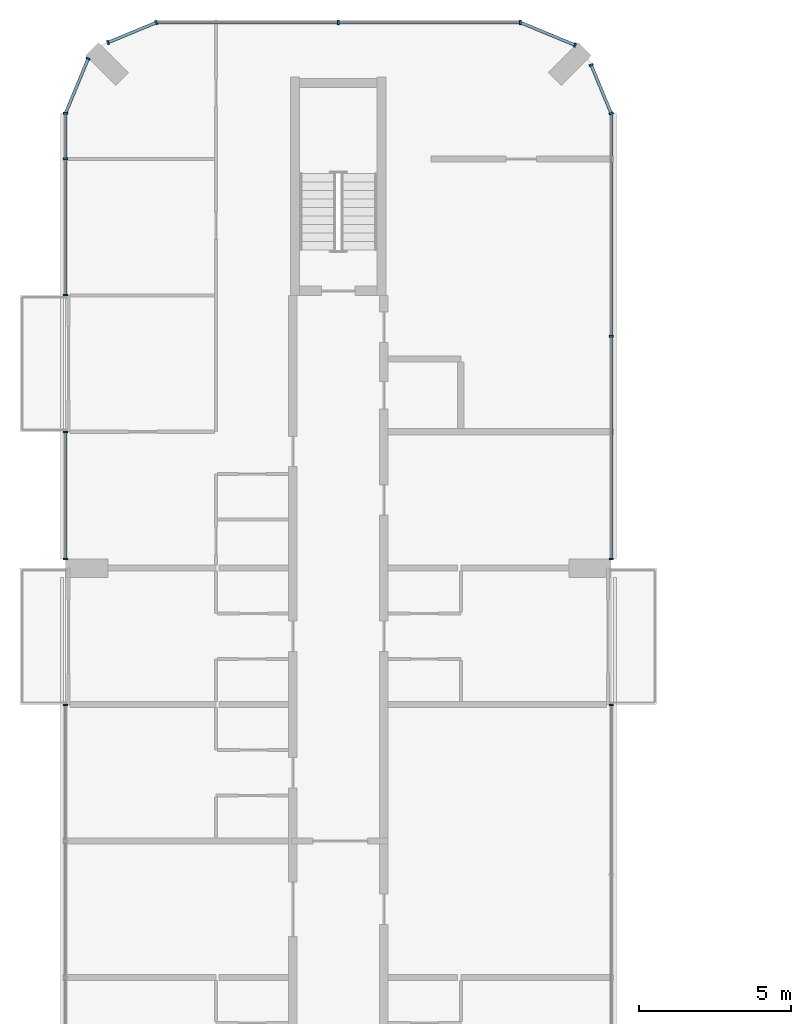
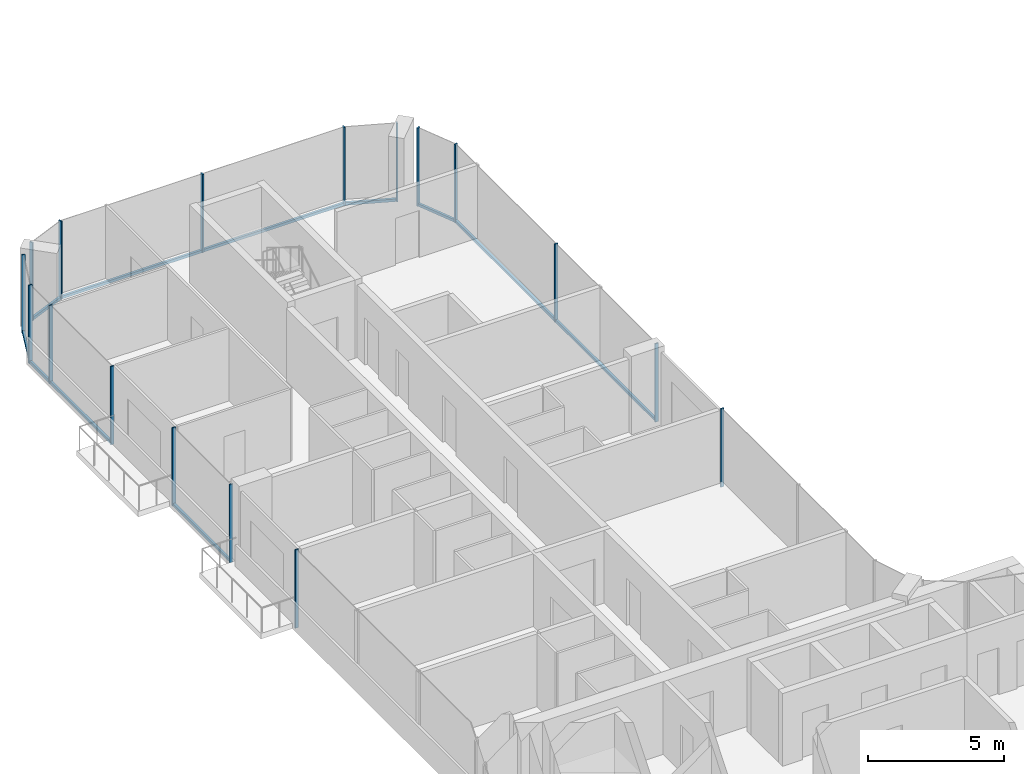
# One storey, part 7 of 17: 25 members, 10 elements without a shape of their own.
"""IFC4 building model written with IfcOpenShell, lengths in metres."""

from ifc_helpers import new_model, si_unit, direction, frame, origin, origin_2d, place, context, subcontext, project, spatial, rectangle, extrude, material, layer, layer_set, material_profile, profile_set, type_object, element, aggregate, save


model = new_model("IFC4")

# Units and contexts
model_context = context("Model", 3, precision=1e-05, world=origin(), true_north=direction((0.0, 1.0)))
body_context = subcontext(model_context, "Body", "Model", "MODEL_VIEW")
ifc_project = project(units=[si_unit("LENGTHUNIT", "METRE"), si_unit("AREAUNIT", "SQUARE_METRE"), si_unit("VOLUMEUNIT", "CUBIC_METRE"), si_unit("PLANEANGLEUNIT", "RADIAN"), si_unit("MASSUNIT", "GRAM", prefix="KILO")], contexts=[model_context])

# Site, building, storey
site_placement = place(None, origin())
site = spatial("IfcSite", under=ifc_project, at=site_placement, CompositionType="ELEMENT")
building_placement = place(site_placement, origin())
building = spatial("IfcBuilding", under=site, at=building_placement, Name="Plateau Cross Towers", CompositionType="ELEMENT")
storey_placement = place(building_placement, frame((0.0, 0.0, 190.89990234375)))
storey = spatial("IfcBuildingStorey", under=building, at=storey_placement, Name="L49", CompositionType="ELEMENT", Elevation=190.89990234375)

# Curtain wall, member
ifc_material_1 = material(Name="Dark low-iron glass", Category="glass")
ifc_layer = layer(ifc_material_1, 0.239990234375)
ifc_layer_set = layer_set([ifc_layer], Name="Dark low-iron glass")
curtain_wall_type = type_object("IfcCurtainWallType", Name="Curtain wall flush unitised CW-B", PredefinedType="NOTDEFINED", material=ifc_layer_set)
curtain_wall_1_placement = place(storey_placement, origin())
curtain_wall_1 = element("IfcCurtainWall", 1, at=curtain_wall_1_placement, inside=storey, type_object=curtain_wall_type, Name="ENV/A/L49/A180_203", PredefinedType="NOTDEFINED")
ifc_material_2 = material(Name="Black anodised aluminium", Category="aluminium")
ifc_material_profile_1 = material_profile(ifc_material_2, rectangle(XDim=0.06005859375, YDim=0.139892578125, at=origin_2d()), Name="MULLION 60x140")
ifc_profile_set_1 = profile_set([ifc_material_profile_1], Name="Black anodised aluminium")
member_type_1 = type_object("IfcMemberType", Name="Mullion 60x140 flush unitised", PredefinedType="MULLION", material=ifc_profile_set_1)
member_1_placement = place(storey_placement, frame((18.0, 31.489990234375, -0.25), z_axis=(0.0, 0.0, 1.0), x_axis=(0.0, 1.0, 0.0)))
member_1 = element("IfcMember", 2, at=member_1_placement, type_object=member_type_1, Name="CW-B mullion 3", PredefinedType="MULLION", context=body_context, shape_type="SweptSolid", body=[
    extrude(rectangle(XDim=0.06005859375, YDim=0.139892578125, at=origin_2d()), origin(), (0.0, 0.0, 1.0), 3.5),
])
aggregate(curtain_wall_1, [member_1])

# Curtain wall, members
curtain_wall_2_placement = place(storey_placement, origin())
curtain_wall_2 = element("IfcCurtainWall", 3, at=curtain_wall_2_placement, inside=storey, type_object=curtain_wall_type, Name="ENV/A/L49/A180_363", PredefinedType="NOTDEFINED")
member_2_placement = place(storey_placement, frame((18.0, 36.300048828125, -0.25), z_axis=(0.0, 0.0, 1.0), x_axis=(0.0, 1.0, 0.0)))
member_2 = element("IfcMember", 4, at=member_2_placement, type_object=member_type_1, Name="CW-B mullion 1", PredefinedType="MULLION", context=body_context, shape_type="SweptSolid", body=[
    extrude(rectangle(XDim=0.06005859375, YDim=0.139892578125, at=origin_2d()), origin(), (0.0, 0.0, 1.0), 3.5),
])
member_3_placement = place(storey_placement, frame((18.0, 43.64990234375, -0.25), z_axis=(0.0, 0.0, 1.0), x_axis=(0.0, 1.0, 0.0)))
member_3 = element("IfcMember", 5, at=member_3_placement, type_object=member_type_1, Name="CW-B mullion 2", PredefinedType="MULLION", context=body_context, shape_type="SweptSolid", body=[
    extrude(rectangle(XDim=0.06005859375, YDim=0.139892578125, at=origin_2d()), origin(), (0.0, 0.0, 1.0), 3.5),
])

curtain_wall_3_placement = place(storey_placement, origin())
curtain_wall_3 = element("IfcCurtainWall", 6, at=curtain_wall_3_placement, inside=storey, type_object=curtain_wall_type, Name="ENV/A/L49/A180_510", PredefinedType="NOTDEFINED")
member_4_placement = place(storey_placement, frame((18.0, 51.0, -0.25), z_axis=(0.0, 0.0, 1.0), x_axis=(-0.382683612978, 0.923879457699, 0.0)))
member_4 = element("IfcMember", 7, at=member_4_placement, type_object=member_type_1, Name="CW-B mullion 1", PredefinedType="MULLION", context=body_context, shape_type="SweptSolid", body=[
    extrude(rectangle(XDim=0.06005859375, YDim=0.139892578125, at=origin_2d()), origin(), (0.0, 0.0, 1.0), 3.5),
])
member_5_placement = place(storey_placement, frame((17.338623046875, 52.5966796875, -0.25), z_axis=(0.0, 0.0, 1.0), x_axis=(-0.382683612978, 0.923879457699, 0.0)))
member_5 = element("IfcMember", 8, at=member_5_placement, type_object=member_type_1, Name="CW-B mullion 2", PredefinedType="MULLION", context=body_context, shape_type="SweptSolid", body=[
    extrude(rectangle(XDim=0.06005859375, YDim=0.139892578125, at=origin_2d()), origin(), (0.0, 0.0, 1.0), 3.5),
])

# Curtain wall, member
curtain_wall_4_placement = place(storey_placement, origin())
curtain_wall_4 = element("IfcCurtainWall", 9, at=curtain_wall_4_placement, inside=storey, type_object=curtain_wall_type, Name="ENV/A/L49/A168_533", PredefinedType="NOTDEFINED")
member_6_placement = place(storey_placement, frame((16.805908203125, 53.251953125, -0.25), z_axis=(0.0, 0.0, 1.0), x_axis=(-0.923879457699, 0.382683612978, 0.0)))
member_6 = element("IfcMember", 10, at=member_6_placement, type_object=member_type_1, Name="CW-B mullion 1", PredefinedType="MULLION", context=body_context, shape_type="SweptSolid", body=[
    extrude(rectangle(XDim=0.06005859375, YDim=0.139892578125, at=origin_2d()), origin(), (0.0, 0.0, 1.0), 3.5),
])

# Curtain wall, members
curtain_wall_5_placement = place(storey_placement, origin())
curtain_wall_5 = element("IfcCurtainWall", 11, at=curtain_wall_5_placement, inside=storey, type_object=curtain_wall_type, Name="ENV/A/L49/A150_540", PredefinedType="NOTDEFINED")
member_7_placement = place(storey_placement, frame((15.0, 54.0, -0.25), z_axis=(0.0, 0.0, 1.0), x_axis=(-1.0, 0.0, 0.0)))
member_7 = element("IfcMember", 12, at=member_7_placement, type_object=member_type_1, Name="CW-B mullion 1", PredefinedType="MULLION", context=body_context, shape_type="SweptSolid", body=[
    extrude(rectangle(XDim=0.06005859375, YDim=0.139892578125, at=origin_2d()), origin(), (0.0, 0.0, 1.0), 3.5),
])
member_8_placement = place(storey_placement, frame((9.0, 54.0, -0.25), z_axis=(0.0, 0.0, 1.0), x_axis=(-1.0, 0.0, 0.0)))
member_8 = element("IfcMember", 13, at=member_8_placement, type_object=member_type_1, Name="CW-B mullion 2", PredefinedType="MULLION", context=body_context, shape_type="SweptSolid", body=[
    extrude(rectangle(XDim=0.06005859375, YDim=0.139892578125, at=origin_2d()), origin(), (0.0, 0.0, 1.0), 3.5),
])

curtain_wall_6_placement = place(storey_placement, origin())
curtain_wall_6 = element("IfcCurtainWall", 14, at=curtain_wall_6_placement, inside=storey, type_object=curtain_wall_type, Name="ENV/A/L49/A30_540", PredefinedType="NOTDEFINED")
member_9_placement = place(storey_placement, frame((3.0, 54.0, -0.25), z_axis=(0.0, 0.0, 1.0), x_axis=(-0.923879457699, -0.382683612978, 0.0)))
member_9 = element("IfcMember", 15, at=member_9_placement, type_object=member_type_1, Name="CW-B mullion 1", PredefinedType="MULLION", context=body_context, shape_type="SweptSolid", body=[
    extrude(rectangle(XDim=0.06005859375, YDim=0.139892578125, at=origin_2d()), origin(), (0.0, 0.0, 1.0), 3.5),
])
member_10_placement = place(storey_placement, frame((1.4033203125, 53.338623046875, -0.25), z_axis=(0.0, 0.0, 1.0), x_axis=(-0.923879457699, -0.382683612978, 0.0)))
member_10 = element("IfcMember", 16, at=member_10_placement, type_object=member_type_1, Name="CW-B mullion 2", PredefinedType="MULLION", context=body_context, shape_type="SweptSolid", body=[
    extrude(rectangle(XDim=0.06005859375, YDim=0.139892578125, at=origin_2d()), origin(), (0.0, 0.0, 1.0), 3.5),
])

# Curtain wall, member
curtain_wall_7_placement = place(storey_placement, origin())
curtain_wall_7 = element("IfcCurtainWall", 17, at=curtain_wall_7_placement, inside=storey, type_object=curtain_wall_type, Name="ENV/A/L49/A7_528", PredefinedType="NOTDEFINED")
member_11_placement = place(storey_placement, frame((0.748046875, 52.805908203125, -0.25), z_axis=(0.0, 0.0, 1.0), x_axis=(-0.382683612978, -0.923879457699, 0.0)))
member_11 = element("IfcMember", 18, at=member_11_placement, type_object=member_type_1, Name="CW-B mullion 1", PredefinedType="MULLION", context=body_context, shape_type="SweptSolid", body=[
    extrude(rectangle(XDim=0.06005859375, YDim=0.139892578125, at=origin_2d()), origin(), (0.0, 0.0, 1.0), 3.5),
])

# Curtain wall, members
curtain_wall_8_placement = place(storey_placement, origin())
curtain_wall_8 = element("IfcCurtainWall", 19, at=curtain_wall_8_placement, inside=storey, type_object=curtain_wall_type, Name="ENV/A/L49/A0_510", PredefinedType="NOTDEFINED")
member_12_placement = place(storey_placement, frame((0.0, 51.0, -0.25), z_axis=(0.0, 0.0, 1.0), x_axis=(0.0, -1.0, 0.0)))
member_12 = element("IfcMember", 20, at=member_12_placement, type_object=member_type_1, Name="CW-B mullion 1", PredefinedType="MULLION", context=body_context, shape_type="SweptSolid", body=[
    extrude(rectangle(XDim=0.06005859375, YDim=0.139892578125, at=origin_2d()), origin(), (0.0, 0.0, 1.0), 3.5),
])
member_13_placement = place(storey_placement, frame((0.0, 49.5, -0.25), z_axis=(0.0, 0.0, 1.0), x_axis=(0.0, -1.0, 0.0)))
member_13 = element("IfcMember", 21, at=member_13_placement, type_object=member_type_1, Name="CW-B mullion 2", PredefinedType="MULLION", context=body_context, shape_type="SweptSolid", body=[
    extrude(rectangle(XDim=0.06005859375, YDim=0.139892578125, at=origin_2d()), origin(), (0.0, 0.0, 1.0), 3.5),
])
member_14_placement = place(storey_placement, frame((0.0, 45.010009765625, -0.25), z_axis=(0.0, 0.0, 1.0), x_axis=(0.0, -1.0, 0.0)))
member_14 = element("IfcMember", 22, at=member_14_placement, type_object=member_type_1, Name="CW-B mullion 3", PredefinedType="MULLION", context=body_context, shape_type="SweptSolid", body=[
    extrude(rectangle(XDim=0.06005859375, YDim=0.139892578125, at=origin_2d()), origin(), (0.0, 0.0, 1.0), 3.5),
])

curtain_wall_9_placement = place(storey_placement, origin())
curtain_wall_9 = element("IfcCurtainWall", 23, at=curtain_wall_9_placement, inside=storey, type_object=curtain_wall_type, Name="ENV/A/L49/A0_405", PredefinedType="NOTDEFINED")
member_15_placement = place(storey_placement, frame((0.0, 40.489990234375, -0.25), z_axis=(0.0, 0.0, 1.0), x_axis=(0.0, -1.0, 0.0)))
member_15 = element("IfcMember", 24, at=member_15_placement, type_object=member_type_1, Name="CW-B mullion 1", PredefinedType="MULLION", context=body_context, shape_type="SweptSolid", body=[
    extrude(rectangle(XDim=0.06005859375, YDim=0.139892578125, at=origin_2d()), origin(), (0.0, 0.0, 1.0), 3.5),
])
member_16_placement = place(storey_placement, frame((0.0, 36.300048828125, -0.25), z_axis=(0.0, 0.0, 1.0), x_axis=(0.0, -1.0, 0.0)))
member_16 = element("IfcMember", 25, at=member_16_placement, type_object=member_type_1, Name="CW-B mullion 2", PredefinedType="MULLION", context=body_context, shape_type="SweptSolid", body=[
    extrude(rectangle(XDim=0.06005859375, YDim=0.139892578125, at=origin_2d()), origin(), (0.0, 0.0, 1.0), 3.5),
])

# Curtain wall, member
curtain_wall_10_placement = place(storey_placement, origin())
curtain_wall_10 = element("IfcCurtainWall", 26, at=curtain_wall_10_placement, inside=storey, type_object=curtain_wall_type, Name="ENV/A/L49/A0_315", PredefinedType="NOTDEFINED")
member_17_placement = place(storey_placement, frame((0.0, 31.489990234375, -0.25), z_axis=(0.0, 0.0, 1.0), x_axis=(0.0, -1.0, 0.0)))
member_17 = element("IfcMember", 27, at=member_17_placement, type_object=member_type_1, Name="CW-B mullion 1", PredefinedType="MULLION", context=body_context, shape_type="SweptSolid", body=[
    extrude(rectangle(XDim=0.06005859375, YDim=0.139892578125, at=origin_2d()), origin(), (0.0, 0.0, 1.0), 3.5),
])
aggregate(curtain_wall_10, [member_17])

# Member
ifc_material_profile_2 = material_profile(ifc_material_2, rectangle(XDim=0.10009765625, YDim=0.1201171875, at=origin_2d()), Name="TRANSOM 100x120")
ifc_profile_set_2 = profile_set([ifc_material_profile_2], Name="Black anodised aluminium")
member_type_2 = type_object("IfcMemberType", Name="Transom 100x120 flush unitised", PredefinedType="USERDEFINED", material=ifc_profile_set_2)
member_18_placement = place(storey_placement, frame((18.0, 36.300048828125, -0.18994140625), z_axis=(0.0, 1.0, 0.0), x_axis=(-1.0, 0.0, 0.0)))
member_18 = element("IfcMember", 28, at=member_18_placement, type_object=member_type_2, Name="CW-B transom", ObjectType="TRANSOM", PredefinedType="USERDEFINED", context=body_context, shape_type="SweptSolid", body=[
    extrude(rectangle(XDim=0.10009765625, YDim=0.1201171875, at=origin_2d()), origin(), (0.0, 0.0, 1.0), 14.699951171875),
])

aggregate(curtain_wall_2, [member_2, member_3, member_18])

member_19_placement = place(storey_placement, frame((18.0, 51.0, -0.18994140625), z_axis=(-0.382688653628, 0.923877369776, 0.0), x_axis=(-0.923877369776, -0.382688653628, 0.0)))
member_19 = element("IfcMember", 29, at=member_19_placement, type_object=member_type_2, Name="CW-B transom", ObjectType="TRANSOM", PredefinedType="USERDEFINED", context=body_context, shape_type="SweptSolid", body=[
    extrude(rectangle(XDim=0.10009765625, YDim=0.1201171875, at=origin_2d()), origin(), (0.0, 0.0, 1.0), 1.728271484375),
])

aggregate(curtain_wall_3, [member_4, member_5, member_19])

member_20_placement = place(storey_placement, frame((16.805908203125, 53.251953125, -0.18994140625), z_axis=(-0.92387678234, 0.382690071798, 0.0), x_axis=(-0.382690071798, -0.92387678234, 0.0)))
member_20 = element("IfcMember", 30, at=member_20_placement, type_object=member_type_2, Name="CW-B transom", ObjectType="TRANSOM", PredefinedType="USERDEFINED", context=body_context, shape_type="SweptSolid", body=[
    extrude(rectangle(XDim=0.10009765625, YDim=0.1201171875, at=origin_2d()), origin(), (0.0, 0.0, 1.0), 1.95458984375),
])

aggregate(curtain_wall_4, [member_6, member_20])

member_21_placement = place(storey_placement, frame((15.0, 54.0, -0.18994140625), z_axis=(-1.0, 0.0, 0.0), x_axis=(0.0, -1.0, 0.0)))
member_21 = element("IfcMember", 31, at=member_21_placement, type_object=member_type_2, Name="CW-B transom", ObjectType="TRANSOM", PredefinedType="USERDEFINED", context=body_context, shape_type="SweptSolid", body=[
    extrude(rectangle(XDim=0.10009765625, YDim=0.1201171875, at=origin_2d()), origin(), (0.0, 0.0, 1.0), 12.0),
])

aggregate(curtain_wall_5, [member_7, member_8, member_21])

member_22_placement = place(storey_placement, frame((3.0, 54.0, -0.18994140625), z_axis=(-0.923877369776, -0.382688653628, 0.0), x_axis=(0.382688653628, -0.923877369776, 0.0)))
member_22 = element("IfcMember", 32, at=member_22_placement, type_object=member_type_2, Name="CW-B transom", ObjectType="TRANSOM", PredefinedType="USERDEFINED", context=body_context, shape_type="SweptSolid", body=[
    extrude(rectangle(XDim=0.10009765625, YDim=0.1201171875, at=origin_2d()), origin(), (0.0, 0.0, 1.0), 1.728271484375),
])

aggregate(curtain_wall_6, [member_9, member_10, member_22])

member_23_placement = place(storey_placement, frame((0.748046875, 52.805908203125, -0.18994140625), z_axis=(-0.382690071798, -0.92387678234, 0.0), x_axis=(0.92387678234, -0.382690071798, 0.0)))
member_23 = element("IfcMember", 33, at=member_23_placement, type_object=member_type_2, Name="CW-B transom", ObjectType="TRANSOM", PredefinedType="USERDEFINED", context=body_context, shape_type="SweptSolid", body=[
    extrude(rectangle(XDim=0.10009765625, YDim=0.1201171875, at=origin_2d()), origin(), (0.0, 0.0, 1.0), 1.95458984375),
])

aggregate(curtain_wall_7, [member_11, member_23])

member_24_placement = place(storey_placement, frame((0.0, 51.0, -0.18994140625), z_axis=(0.0, -1.0, 0.0), x_axis=(1.0, 0.0, 0.0)))
member_24 = element("IfcMember", 34, at=member_24_placement, type_object=member_type_2, Name="CW-B transom", ObjectType="TRANSOM", PredefinedType="USERDEFINED", context=body_context, shape_type="SweptSolid", body=[
    extrude(rectangle(XDim=0.10009765625, YDim=0.1201171875, at=origin_2d()), origin(), (0.0, 0.0, 1.0), 5.989990234375),
])

aggregate(curtain_wall_8, [member_12, member_13, member_14, member_24])

member_25_placement = place(storey_placement, frame((0.0, 40.489990234375, -0.18994140625), z_axis=(0.0, -1.0, 0.0), x_axis=(1.0, 0.0, 0.0)))
member_25 = element("IfcMember", 35, at=member_25_placement, type_object=member_type_2, Name="CW-B transom", ObjectType="TRANSOM", PredefinedType="USERDEFINED", context=body_context, shape_type="SweptSolid", body=[
    extrude(rectangle(XDim=0.10009765625, YDim=0.1201171875, at=origin_2d()), origin(), (0.0, 0.0, 1.0), 4.18994140625),
])

aggregate(curtain_wall_9, [member_15, member_16, member_25])

save(model, "model.ifc")
